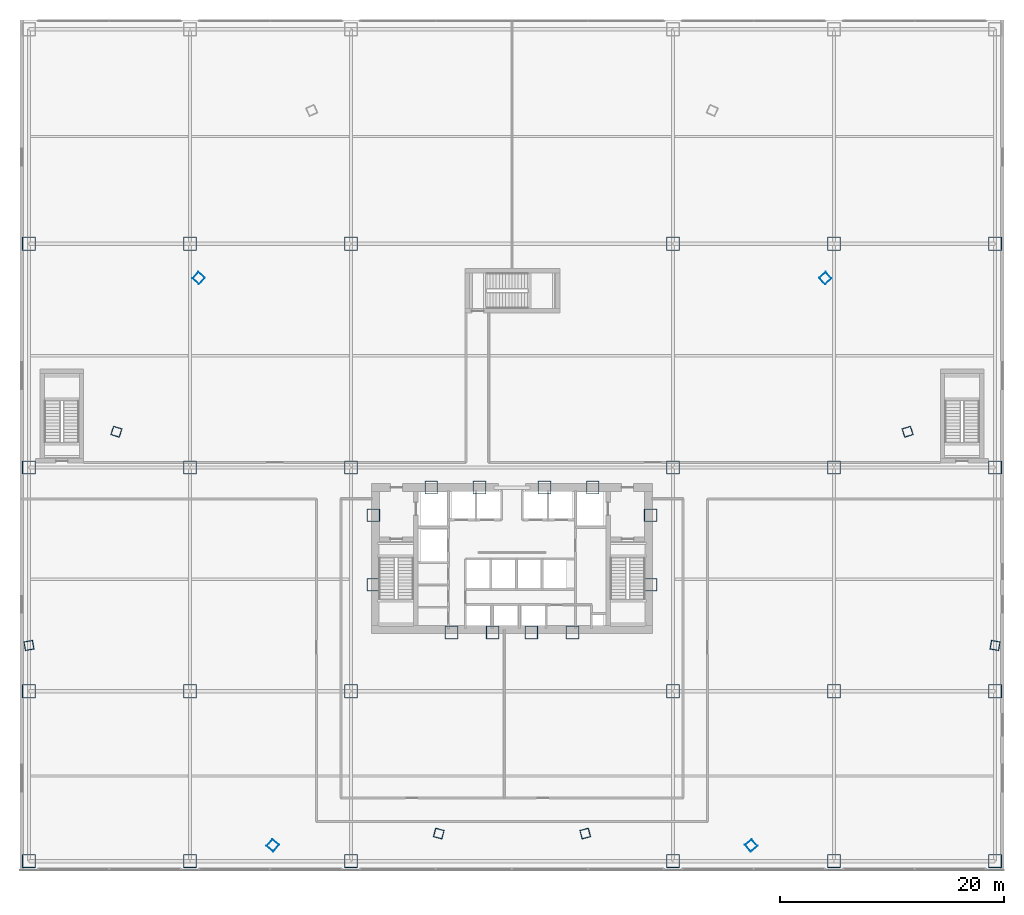
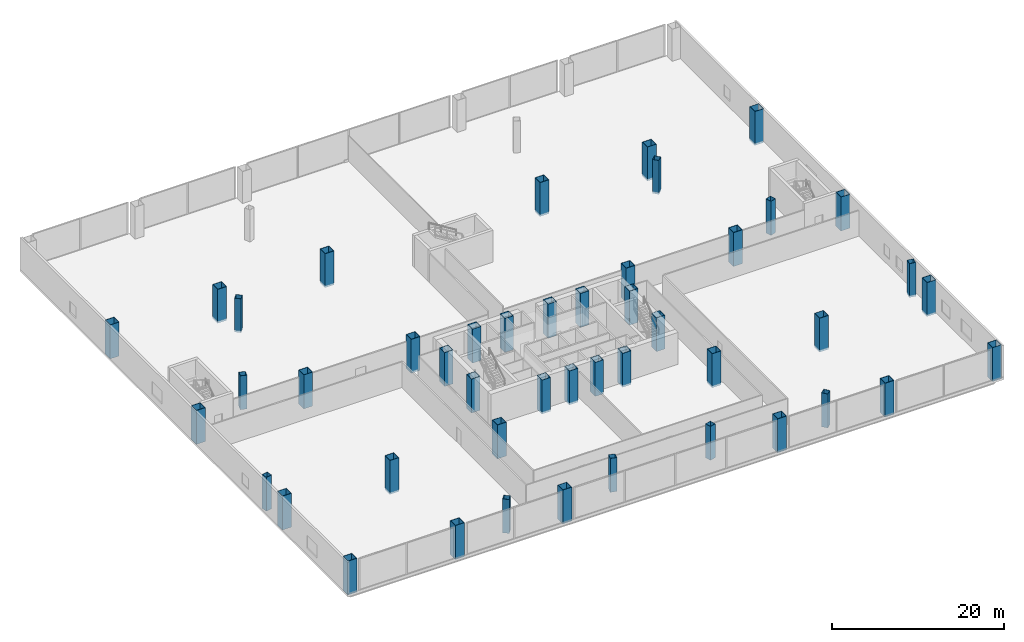
# One storey, part 1 of 40: 46 columns.
"""IFC4 building model written with IfcOpenShell, lengths in metres."""

from ifc_helpers import new_model, si_unit, direction, frame, origin, origin_2d, place, context, subcontext, project, spatial, hollow_rectangle, extrude, source, transform, mapped, material, material_profile, profile_set, type_object, element, save


model = new_model("IFC4")

# Units and contexts
model_context = context("Model", 3, precision=1e-05, world=origin(), true_north=direction((0.0, 1.0)))
body_context = subcontext(model_context, "Body", "Model", "MODEL_VIEW")
ifc_project = project(units=[si_unit("LENGTHUNIT", "METRE"), si_unit("AREAUNIT", "SQUARE_METRE"), si_unit("VOLUMEUNIT", "CUBIC_METRE"), si_unit("PLANEANGLEUNIT", "RADIAN"), si_unit("MASSUNIT", "GRAM", prefix="KILO"), si_unit("THERMODYNAMICTEMPERATUREUNIT", "KELVIN"), si_unit("POWERUNIT", "WATT")], contexts=[model_context])

# Site, building, storey
site_placement = place(None, origin())
site = spatial("IfcSite", under=ifc_project, at=site_placement, CompositionType="ELEMENT")
building_placement = place(site_placement, origin())
building = spatial("IfcBuilding", under=site, at=building_placement, Name="Yunzhuo Pagoda Commons", CompositionType="ELEMENT")
storey_placement = place(building_placement, frame((0.0, 0.0, 14.39990234375)))
storey = spatial("IfcBuildingStorey", under=building, at=storey_placement, Name="L04", CompositionType="ELEMENT", Elevation=14.39990234375)

# Columns
ifc_material = material(Name="Structural steel Q420B", Category="steel")
ifc_material_profile_1 = material_profile(ifc_material, hollow_rectangle(XDim=1.14990234375, YDim=1.14990234375, WallThickness=0.048095703125, at=origin_2d()), Name="Structural steel Q420B")
ifc_profile_set_1 = profile_set([ifc_material_profile_1], Name="Structural steel Q420B")
column_type_1 = type_object("IfcColumnType", Name="C-COR Column BOX 1150x1150x48", PredefinedType="COLUMN", material=ifc_profile_set_1)
shared_shape_1 = source(origin(), body_context, "Body", "SweptSolid", [
    extrude(hollow_rectangle(XDim=1.14990234375, YDim=1.14990234375, WallThickness=0.048095703125, at=origin_2d()), origin(), (0.0, 0.0, 1.0), 4.7998046875),
])
for number, where, z_axis, x_axis, name in (
    (1, (42.587890625, 27.25, -0.27978515625), (0.0, 0.0, 1.0), (1.0, 0.0, 0.0), "L04 core composite column F1C1"),
    (2, (46.27197265625, 27.25, -0.27978515625), (0.0, 0.0, 1.0), (1.0, 0.0, 0.0), "L04 core composite column F1C2"),
    (3, (49.728515625, 27.25, -0.27978515625), (0.0, 0.0, 1.0), (1.0, 0.0, 0.0), "L04 core composite column F1C3"),
    (4, (53.412109375, 27.25, -0.27978515625), (0.0, 0.0, 1.0), (1.0, 0.0, 0.0), "L04 core composite column F1C4"),
    (5, (60.39990234375, 31.513427734375, -0.27978515625), (0.0, 0.0, 1.0), (1.0, 0.0, 0.0), "L04 core composite column F2C1"),
    (6, (60.39990234375, 37.72900390625, -0.27978515625), (0.0, 0.0, 1.0), (1.0, 0.0, 0.0), "L04 core composite column F2C2"),
    (7, (55.218994140625, 40.199951171875, -0.27978515625), (0.0, 0.0, 1.0), (1.0, 0.0, 0.0), "L04 core composite column F2C3"),
    (8, (50.89404296875, 40.199951171875, -0.27978515625), (0.0, 0.0, 1.0), (1.0, 0.0, 0.0), "L04 core composite column F2C4"),
    (9, (45.10595703125, 40.199951171875, -0.27978515625), (0.0, 0.0, 1.0), (1.0, 0.0, 0.0), "L04 core composite column F3C1"),
    (10, (40.781005859375, 40.199951171875, -0.27978515625), (0.0, 0.0, 1.0), (1.0, 0.0, 0.0), "L04 core composite column F3C2"),
    (11, (35.60009765625, 37.72900390625, -0.27978515625), (0.0, 0.0, 1.0), (1.0, 0.0, 0.0), "L04 core composite column F3C3"),
    (12, (35.60009765625, 31.513427734375, -0.27978515625), (0.0, 0.0, 1.0), (1.0, 0.0, 0.0), "L04 core composite column F3C4"),
):
    element("IfcColumn", number, at=place(storey_placement, frame(where, z_axis=z_axis, x_axis=x_axis)), inside=storey, type_object=column_type_1, Name=name, PredefinedType="COLUMN", context=body_context, shape_type="MappedRepresentation", body=[
        mapped(shared_shape_1, transform((0.0, 0.0, 0.0), scale=1.0)),
    ])
ifc_material_profile_2 = material_profile(ifc_material, hollow_rectangle(XDim=1.199951171875, YDim=1.199951171875, WallThickness=0.050048828125, at=origin_2d()), Name="Structural steel Q420B")
ifc_profile_set_2 = profile_set([ifc_material_profile_2], Name="Structural steel Q420B")
column_type_2 = type_object("IfcColumnType", Name="C-POD Column BOX 1200x1200x50", PredefinedType="COLUMN", material=ifc_profile_set_2)
shared_shape_2 = source(origin(), body_context, "Body", "SweptSolid", [
    extrude(hollow_rectangle(XDim=1.199951171875, YDim=1.199951171875, WallThickness=0.050048828125, at=origin_2d()), origin(), (0.0, 0.0, 1.0), 4.7998046875),
])
for number, where, z_axis, x_axis, name in (
    (13, (4.800048828125, 6.800048828125, -0.27978515625), (0.0, 0.0, 1.0), (1.0, 0.0, 0.0), "L04 podium column P1_1"),
    (14, (4.800048828125, 22.0, -0.27978515625), (0.0, 0.0, 1.0), (1.0, 0.0, 0.0), "L04 podium column P1_2"),
    (15, (4.800048828125, 42.0, -0.27978515625), (0.0, 0.0, 1.0), (1.0, 0.0, 0.0), "L04 podium column P1_3"),
    (16, (4.800048828125, 62.0, -0.27978515625), (0.0, 0.0, 1.0), (1.0, 0.0, 0.0), "L04 podium column P1_4"),
    (17, (19.199951171875, 6.800048828125, -0.27978515625), (0.0, 0.0, 1.0), (1.0, 0.0, 0.0), "L04 podium column P2_1"),
    (18, (19.199951171875, 22.0, -0.27978515625), (0.0, 0.0, 1.0), (1.0, 0.0, 0.0), "L04 podium column P2_2"),
    (19, (19.199951171875, 42.0, -0.27978515625), (0.0, 0.0, 1.0), (1.0, 0.0, 0.0), "L04 podium column P2_3"),
    (20, (19.199951171875, 62.0, -0.27978515625), (0.0, 0.0, 1.0), (1.0, 0.0, 0.0), "L04 podium column P2_4"),
    (21, (33.60009765625, 6.800048828125, -0.27978515625), (0.0, 0.0, 1.0), (1.0, 0.0, 0.0), "L04 podium column P3_1"),
    (22, (33.60009765625, 22.0, -0.27978515625), (0.0, 0.0, 1.0), (1.0, 0.0, 0.0), "L04 podium column P3_2"),
    (23, (33.60009765625, 42.0, -0.27978515625), (0.0, 0.0, 1.0), (1.0, 0.0, 0.0), "L04 podium column P3_3"),
    (24, (33.60009765625, 62.0, -0.27978515625), (0.0, 0.0, 1.0), (1.0, 0.0, 0.0), "L04 podium column P3_4"),
    (25, (62.39990234375, 6.800048828125, -0.27978515625), (0.0, 0.0, 1.0), (1.0, 0.0, 0.0), "L04 podium column P4_1"),
    (26, (62.39990234375, 22.0, -0.27978515625), (0.0, 0.0, 1.0), (1.0, 0.0, 0.0), "L04 podium column P4_2"),
    (27, (62.39990234375, 42.0, -0.27978515625), (0.0, 0.0, 1.0), (1.0, 0.0, 0.0), "L04 podium column P4_3"),
    (28, (62.39990234375, 62.0, -0.27978515625), (0.0, 0.0, 1.0), (1.0, 0.0, 0.0), "L04 podium column P4_4"),
    (29, (76.800048828125, 6.800048828125, -0.27978515625), (0.0, 0.0, 1.0), (1.0, 0.0, 0.0), "L04 podium column P5_1"),
    (30, (76.800048828125, 22.0, -0.27978515625), (0.0, 0.0, 1.0), (1.0, 0.0, 0.0), "L04 podium column P5_2"),
    (31, (76.800048828125, 42.0, -0.27978515625), (0.0, 0.0, 1.0), (1.0, 0.0, 0.0), "L04 podium column P5_3"),
    (32, (76.800048828125, 62.0, -0.27978515625), (0.0, 0.0, 1.0), (1.0, 0.0, 0.0), "L04 podium column P5_4"),
    (33, (91.199951171875, 6.800048828125, -0.27978515625), (0.0, 0.0, 1.0), (1.0, 0.0, 0.0), "L04 podium column P6_1"),
    (34, (91.199951171875, 22.0, -0.27978515625), (0.0, 0.0, 1.0), (1.0, 0.0, 0.0), "L04 podium column P6_2"),
    (35, (91.199951171875, 42.0, -0.27978515625), (0.0, 0.0, 1.0), (1.0, 0.0, 0.0), "L04 podium column P6_3"),
    (36, (91.199951171875, 62.0, -0.27978515625), (0.0, 0.0, 1.0), (1.0, 0.0, 0.0), "L04 podium column P6_4"),
):
    element("IfcColumn", number, at=place(storey_placement, frame(where, z_axis=z_axis, x_axis=x_axis)), inside=storey, type_object=column_type_2, Name=name, PredefinedType="COLUMN", context=body_context, shape_type="MappedRepresentation", body=[
        mapped(shared_shape_2, transform((0.0, 0.0, 0.0), scale=1.0)),
    ])
ifc_material_profile_3 = material_profile(ifc_material, hollow_rectangle(XDim=0.800048828125, YDim=0.800048828125, WallThickness=0.031982421875, at=origin_2d()), Name="Structural steel Q420B")
ifc_profile_set_3 = profile_set([ifc_material_profile_3], Name="Structural steel Q420B")
column_type_3 = type_object("IfcColumnType", Name="C-BUT Column BOX 800x800x32", PredefinedType="COLUMN", material=ifc_profile_set_3)
shared_shape_3 = source(origin(), body_context, "Body", "SweptSolid", [
    extrude(hollow_rectangle(XDim=0.800048828125, YDim=0.800048828125, WallThickness=0.031982421875, at=origin_2d()), origin(), (0.0, 0.0, 1.0), 4.7998046875),
])
for number, where, z_axis, x_axis, name in (
    (37, (26.60302734375, 8.199951171875, -0.27978515625), (0.0, 0.0, 1.0), (0.766044443119, -0.642787609687, 0.0), "L04 podium transfer support column PR_F1C1"),
    (38, (41.45166015625, 9.260986328125, -0.27978515625), (0.0, 0.0, 1.0), (0.965925826289, -0.258819045103, 0.0), "L04 podium transfer support column PR_F1C2"),
    (39, (54.54833984375, 9.260986328125, -0.27978515625), (0.0, 0.0, 1.0), (0.965925826289, 0.258819045103, 0.0), "L04 podium transfer support column PR_F1C3"),
    (40, (69.39697265625, 8.199951171875, -0.27978515625), (0.0, 0.0, 1.0), (0.766044443119, 0.642787609687, 0.0), "L04 podium transfer support column PR_F1C4"),
    (41, (91.198974609375, 26.0830078125, -0.27978515625), (0.0, 0.0, 1.0), (0.173648177667, 0.984807753012, 0.0), "L04 podium transfer support column PR_F2C1"),
    (42, (83.37890625, 45.195556640625, -0.27978515625), (0.0, 0.0, 1.0), (-0.309016994375, 0.951056516295, 0.0), "L04 podium transfer support column PR_F2C2"),
    (43, (76.027099609375, 58.935302734375, -0.27978515625), (0.0, 0.0, 1.0), (-0.669130606359, 0.743144825477, 0.0), "L04 podium transfer support column PR_F2C3"),
    (44, (19.973388671875, 58.935302734375, -0.27978515625), (0.0, 0.0, 1.0), (-0.669130606359, -0.743144825477, 0.0), "L04 podium transfer support column PR_F3C2"),
    (45, (12.62109375, 45.195556640625, -0.27978515625), (0.0, 0.0, 1.0), (-0.309016994375, -0.951056516295, 0.0), "L04 podium transfer support column PR_F3C3"),
    (46, (4.801025390625, 26.0830078125, -0.27978515625), (0.0, 0.0, 1.0), (0.173648177667, -0.984807753012, 0.0), "L04 podium transfer support column PR_F3C4"),
):
    element("IfcColumn", number, at=place(storey_placement, frame(where, z_axis=z_axis, x_axis=x_axis)), inside=storey, type_object=column_type_3, Name=name, PredefinedType="COLUMN", context=body_context, shape_type="MappedRepresentation", body=[
        mapped(shared_shape_3, transform((0.0, 0.0, 0.0), scale=1.0)),
    ])

save(model, "model.ifc")
